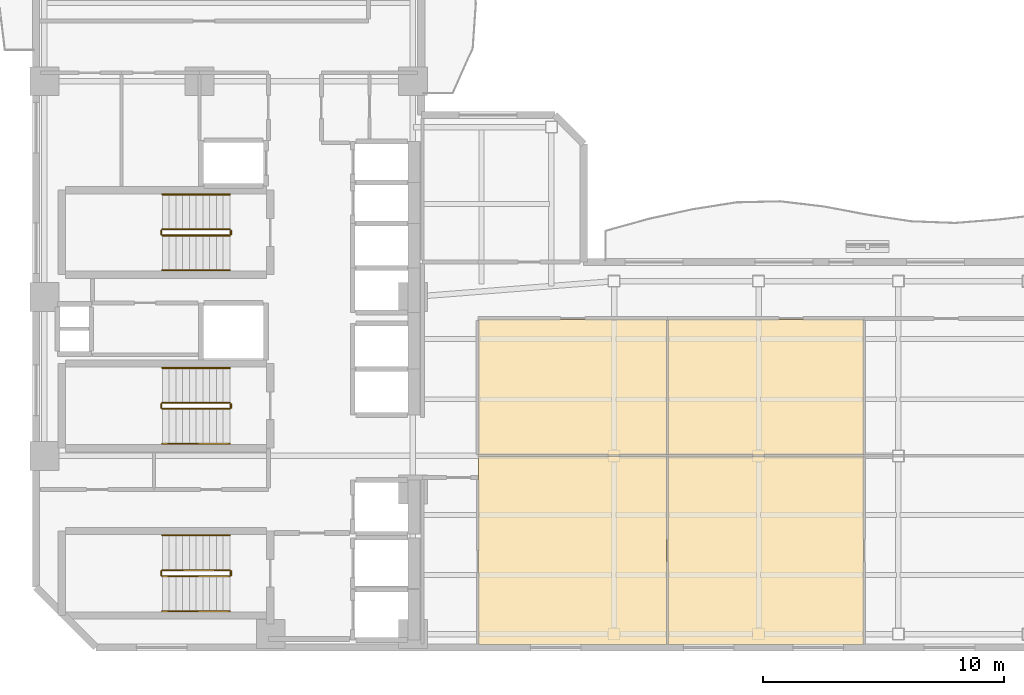
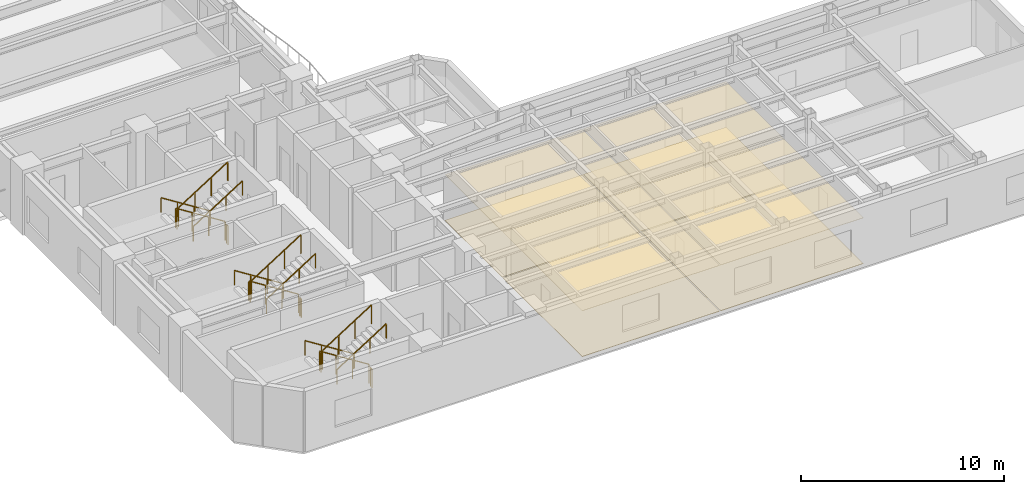
# One storey, part 7 of 9: 18 railings, 8 coverings.
"""IFC4 building model written with IfcOpenShell, lengths in metres."""

from ifc_helpers import new_model, si_unit, direction, frame, origin, origin_2d, place, context, subcontext, project, spatial, polyline, rectangle, outline, extrude, material, layer, layer_set, type_object, element, save


model = new_model("IFC4")

# Units and contexts
model_context = context("Model", 3, precision=1e-05, world=origin(), true_north=direction((0.0, 1.0)))
body_context = subcontext(model_context, "Body", "Model", "MODEL_VIEW")
ifc_project = project(units=[si_unit("LENGTHUNIT", "METRE"), si_unit("AREAUNIT", "SQUARE_METRE"), si_unit("VOLUMEUNIT", "CUBIC_METRE"), si_unit("PLANEANGLEUNIT", "RADIAN"), si_unit("MASSUNIT", "GRAM", prefix="KILO")], contexts=[model_context])

# Site, building, storey
site_placement = place(None, origin())
site = spatial("IfcSite", under=ifc_project, at=site_placement, CompositionType="ELEMENT")
building_placement = place(site_placement, origin())
building = spatial("IfcBuilding", under=site, at=building_placement, Name="Mawjaban Terraces University", CompositionType="ELEMENT")
storey_placement = place(building_placement, frame((0.0, 0.0, 161.89990234375)))
storey = spatial("IfcBuildingStorey", under=building, at=storey_placement, Name="L39", CompositionType="ELEMENT", Elevation=161.89990234375)

# Coverings
ifc_material_1 = material(Name="Acoustic mineral fibre ceiling tile", Category="masonry")
ifc_layer_1 = layer(ifc_material_1, 0.02001953125)
ifc_layer_set_1 = layer_set([ifc_layer_1], Name="Acoustic mineral fibre ceiling tile")
covering_type_1 = type_object("IfcCoveringType", Name="AcousticMineralCeiling_20", PredefinedType="CEILING", material=ifc_layer_set_1)
covering_1_placement = place(storey_placement, frame((0.0, 0.0, 2.75)))
element("IfcCovering", 1, at=covering_1_placement, inside=storey, type_object=covering_type_1, Name="L39 Conference Room 2 Acoustic Ceiling", PredefinedType="CEILING", context=body_context, shape_type="SweptSolid", body=[
    extrude(outline(polyline([(40.3798828125, 0.114990234375), (48.18505859375, 0.114990234375), (48.18505859375, 7.919921875), (40.3798828125, 7.919921875), (40.3798828125, 0.114990234375)])), origin(), (0.0, 0.0, 1.0), 0.02001953125),
])
covering_2_placement = place(storey_placement, frame((0.0, 0.0, 2.75)))
element("IfcCovering", 2, at=covering_2_placement, inside=storey, type_object=covering_type_1, Name="L39 Classroom 3 Acoustic Ceiling", PredefinedType="CEILING", context=body_context, shape_type="SweptSolid", body=[
    extrude(outline(polyline([(48.18505859375, 7.97998046875), (48.18505859375, 13.6201171875), (40.3798828125, 13.6201171875), (40.3798828125, 7.97998046875), (48.18505859375, 7.97998046875)])), origin(), (0.0, 0.0, 1.0), 0.02001953125),
])
covering_3_placement = place(storey_placement, frame((0.0, 0.0, 2.75)))
element("IfcCovering", 3, at=covering_3_placement, inside=storey, type_object=covering_type_1, Name="L39 Seminar Room 4 Acoustic Ceiling", PredefinedType="CEILING", context=body_context, shape_type="SweptSolid", body=[
    extrude(outline(polyline([(48.2451171875, 0.114990234375), (56.35205078125, 0.114990234375), (56.35205078125, 7.919921875), (48.2451171875, 7.919921875), (48.2451171875, 0.114990234375)])), origin(), (0.0, 0.0, 1.0), 0.02001953125),
])
covering_4_placement = place(storey_placement, frame((0.0, 0.0, 2.75)))
element("IfcCovering", 4, at=covering_4_placement, inside=storey, type_object=covering_type_1, Name="L39 Tutorial Room 5 Acoustic Ceiling", PredefinedType="CEILING", context=body_context, shape_type="SweptSolid", body=[
    extrude(outline(polyline([(56.35205078125, 7.97998046875), (56.35205078125, 13.6201171875), (48.2451171875, 13.6201171875), (48.2451171875, 7.97998046875), (56.35205078125, 7.97998046875)])), origin(), (0.0, 0.0, 1.0), 0.02001953125),
])

# Railings
ifc_material_2 = material(Name="Brushed stainless steel 316", Category="steel")
railing_type_1 = type_object("IfcRailingType", Name="StairWallHandrail_900", PredefinedType="HANDRAIL", material=ifc_material_2)
railing_1_placement = place(storey_placement, frame((30.050048828125, 4.64990234375, 0.177490234375)))
element("IfcRailing", 5, at=railing_1_placement, inside=storey, type_object=railing_type_1, Name="L39 ST-1 stair handrail 1", PredefinedType="HANDRAIL", context=body_context, shape_type="SweptSolid", body=[
    extrude(rectangle(XDim=0.048095703125, YDim=0.048095703125, at=origin_2d()), frame((0.0, 0.0, 0.8759765625), z_axis=(-0.844908973607, 0.0, 0.534910110503), x_axis=(0.0, -1.0, 0.0)), (0.0, 0.0, 1.0), 3.31396484375),
    extrude(rectangle(XDim=0.0419921875, YDim=0.0419921875, at=origin_2d()), origin(), (0.0, 0.0, 1.0), 0.851806640625),
    extrude(rectangle(XDim=0.0419921875, YDim=0.0419921875, at=origin_2d()), frame((-0.933349609375, 0.0, 0.5908203125)), (0.0, 0.0, 1.0), 0.851806640625),
    extrude(rectangle(XDim=0.0419921875, YDim=0.0419921875, at=origin_2d()), frame((-1.86669921875, 0.0, 1.181884765625)), (0.0, 0.0, 1.0), 0.851806640625),
    extrude(rectangle(XDim=0.0419921875, YDim=0.0419921875, at=origin_2d()), frame((-2.800048828125, 0.0, 1.772705078125)), (0.0, 0.0, 1.0), 0.851806640625),
])
railing_2_placement = place(storey_placement, frame((27.25, 1.5, 2.12744140625)))
element("IfcRailing", 6, at=railing_2_placement, inside=storey, type_object=railing_type_1, Name="L39 ST-1 stair handrail 2", PredefinedType="HANDRAIL", context=body_context, shape_type="SweptSolid", body=[
    extrude(rectangle(XDim=0.048095703125, YDim=0.048095703125, at=origin_2d()), frame((0.0, 0.0, 0.8759765625), z_axis=(0.844908973607, 0.0, 0.534910110503), x_axis=(0.0, 1.0, 0.0)), (0.0, 0.0, 1.0), 3.31396484375),
    extrude(rectangle(XDim=0.0419921875, YDim=0.0419921875, at=origin_2d()), origin(), (0.0, 0.0, 1.0), 0.851806640625),
    extrude(rectangle(XDim=0.0419921875, YDim=0.0419921875, at=origin_2d()), frame((0.933349609375, 0.0, 0.5908203125)), (0.0, 0.0, 1.0), 0.851806640625),
    extrude(rectangle(XDim=0.0419921875, YDim=0.0419921875, at=origin_2d()), frame((1.86669921875, 0.0, 1.181884765625)), (0.0, 0.0, 1.0), 0.851806640625),
    extrude(rectangle(XDim=0.0419921875, YDim=0.0419921875, at=origin_2d()), frame((2.800048828125, 0.0, 1.772705078125)), (0.0, 0.0, 1.0), 0.851806640625),
])
railing_3_placement = place(storey_placement, frame((30.050048828125, 18.800048828125, 0.177490234375)))
element("IfcRailing", 7, at=railing_3_placement, inside=storey, type_object=railing_type_1, Name="L39 ST-2 stair handrail 1", PredefinedType="HANDRAIL", context=body_context, shape_type="SweptSolid", body=[
    extrude(rectangle(XDim=0.048095703125, YDim=0.048095703125, at=origin_2d()), frame((0.0, 0.0, 0.8759765625), z_axis=(-0.844908973607, 0.0, 0.534910110503), x_axis=(0.0, -1.0, 0.0)), (0.0, 0.0, 1.0), 3.31396484375),
    extrude(rectangle(XDim=0.0419921875, YDim=0.0419921875, at=origin_2d()), origin(), (0.0, 0.0, 1.0), 0.851806640625),
    extrude(rectangle(XDim=0.0419921875, YDim=0.0419921875, at=origin_2d()), frame((-0.933349609375, 0.0, 0.5908203125)), (0.0, 0.0, 1.0), 0.851806640625),
    extrude(rectangle(XDim=0.0419921875, YDim=0.0419921875, at=origin_2d()), frame((-1.86669921875, 0.0, 1.181884765625)), (0.0, 0.0, 1.0), 0.851806640625),
    extrude(rectangle(XDim=0.0419921875, YDim=0.0419921875, at=origin_2d()), frame((-2.800048828125, 0.0, 1.772705078125)), (0.0, 0.0, 1.0), 0.851806640625),
])
railing_4_placement = place(storey_placement, frame((27.25, 15.64990234375, 2.12744140625)))
element("IfcRailing", 8, at=railing_4_placement, inside=storey, type_object=railing_type_1, Name="L39 ST-2 stair handrail 2", PredefinedType="HANDRAIL", context=body_context, shape_type="SweptSolid", body=[
    extrude(rectangle(XDim=0.048095703125, YDim=0.048095703125, at=origin_2d()), frame((0.0, 0.0, 0.8759765625), z_axis=(0.844908973607, 0.0, 0.534910110503), x_axis=(0.0, 1.0, 0.0)), (0.0, 0.0, 1.0), 3.31396484375),
    extrude(rectangle(XDim=0.0419921875, YDim=0.0419921875, at=origin_2d()), origin(), (0.0, 0.0, 1.0), 0.851806640625),
    extrude(rectangle(XDim=0.0419921875, YDim=0.0419921875, at=origin_2d()), frame((0.933349609375, 0.0, 0.5908203125)), (0.0, 0.0, 1.0), 0.851806640625),
    extrude(rectangle(XDim=0.0419921875, YDim=0.0419921875, at=origin_2d()), frame((1.86669921875, 0.0, 1.181884765625)), (0.0, 0.0, 1.0), 0.851806640625),
    extrude(rectangle(XDim=0.0419921875, YDim=0.0419921875, at=origin_2d()), frame((2.800048828125, 0.0, 1.772705078125)), (0.0, 0.0, 1.0), 0.851806640625),
])
railing_5_placement = place(storey_placement, frame((30.050048828125, 11.60009765625, 0.177490234375)))
element("IfcRailing", 9, at=railing_5_placement, inside=storey, type_object=railing_type_1, Name="L39 ST-3 stair handrail 1", PredefinedType="HANDRAIL", context=body_context, shape_type="SweptSolid", body=[
    extrude(rectangle(XDim=0.048095703125, YDim=0.048095703125, at=origin_2d()), frame((0.0, 0.0, 0.8759765625), z_axis=(-0.844908973607, 0.0, 0.534910110503), x_axis=(0.0, -1.0, 0.0)), (0.0, 0.0, 1.0), 3.31396484375),
    extrude(rectangle(XDim=0.0419921875, YDim=0.0419921875, at=origin_2d()), origin(), (0.0, 0.0, 1.0), 0.851806640625),
    extrude(rectangle(XDim=0.0419921875, YDim=0.0419921875, at=origin_2d()), frame((-0.933349609375, 0.0, 0.5908203125)), (0.0, 0.0, 1.0), 0.851806640625),
    extrude(rectangle(XDim=0.0419921875, YDim=0.0419921875, at=origin_2d()), frame((-1.86669921875, 0.0, 1.181884765625)), (0.0, 0.0, 1.0), 0.851806640625),
    extrude(rectangle(XDim=0.0419921875, YDim=0.0419921875, at=origin_2d()), frame((-2.800048828125, 0.0, 1.772705078125)), (0.0, 0.0, 1.0), 0.851806640625),
])
railing_6_placement = place(storey_placement, frame((27.25, 8.449951171875, 2.12744140625)))
element("IfcRailing", 10, at=railing_6_placement, inside=storey, type_object=railing_type_1, Name="L39 ST-3 stair handrail 2", PredefinedType="HANDRAIL", context=body_context, shape_type="SweptSolid", body=[
    extrude(rectangle(XDim=0.048095703125, YDim=0.048095703125, at=origin_2d()), frame((0.0, 0.0, 0.8759765625), z_axis=(0.844908973607, 0.0, 0.534910110503), x_axis=(0.0, 1.0, 0.0)), (0.0, 0.0, 1.0), 3.31396484375),
    extrude(rectangle(XDim=0.0419921875, YDim=0.0419921875, at=origin_2d()), origin(), (0.0, 0.0, 1.0), 0.851806640625),
    extrude(rectangle(XDim=0.0419921875, YDim=0.0419921875, at=origin_2d()), frame((0.933349609375, 0.0, 0.5908203125)), (0.0, 0.0, 1.0), 0.851806640625),
    extrude(rectangle(XDim=0.0419921875, YDim=0.0419921875, at=origin_2d()), frame((1.86669921875, 0.0, 1.181884765625)), (0.0, 0.0, 1.0), 0.851806640625),
    extrude(rectangle(XDim=0.0419921875, YDim=0.0419921875, at=origin_2d()), frame((2.800048828125, 0.0, 1.772705078125)), (0.0, 0.0, 1.0), 0.851806640625),
])
ifc_material_3 = material(Name="Galvanised painted steel S355", Category="steel")
railing_type_2 = type_object("IfcRailingType", Name="StairWellGuard_1150", PredefinedType="BALUSTRADE", material=ifc_material_3)
railing_7_placement = place(storey_placement, frame((30.050048828125, 3.199951171875, 0.177490234375)))
element("IfcRailing", 11, at=railing_7_placement, inside=storey, type_object=railing_type_2, Name="L39 ST-1 stair guard 1", PredefinedType="BALUSTRADE", context=body_context, shape_type="SweptSolid", body=[
    extrude(rectangle(XDim=0.048095703125, YDim=0.048095703125, at=origin_2d()), frame((0.0, 0.0, 1.1259765625), z_axis=(-0.844908973607, 0.0, 0.534910110503), x_axis=(0.0, -1.0, 0.0)), (0.0, 0.0, 1.0), 3.31396484375),
    extrude(rectangle(XDim=0.0419921875, YDim=0.0419921875, at=origin_2d()), origin(), (0.0, 0.0, 1.0), 1.101806640625),
    extrude(rectangle(XDim=0.0419921875, YDim=0.0419921875, at=origin_2d()), frame((-0.933349609375, 0.0, 0.5908203125)), (0.0, 0.0, 1.0), 1.101806640625),
    extrude(rectangle(XDim=0.0419921875, YDim=0.0419921875, at=origin_2d()), frame((-1.86669921875, 0.0, 1.181884765625)), (0.0, 0.0, 1.0), 1.101806640625),
    extrude(rectangle(XDim=0.0419921875, YDim=0.0419921875, at=origin_2d()), frame((-2.800048828125, 0.0, 1.772705078125)), (0.0, 0.0, 1.0), 1.101806640625),
])
railing_8_placement = place(storey_placement, frame((27.199951171875, 3.14990234375, 1.9501953125)))
element("IfcRailing", 12, at=railing_8_placement, inside=storey, type_object=railing_type_2, Name="L39 ST-1 stair guard 2", PredefinedType="BALUSTRADE", context=body_context, shape_type="SweptSolid", body=[
    extrude(rectangle(XDim=0.048095703125, YDim=0.048095703125, at=origin_2d()), frame((0.0, 0.0, 1.1259765625), z_axis=(0.0, -1.0, 0.0), x_axis=(1.0, 0.0, 0.0)), (0.0, 0.0, 1.0), 0.14990234375),
    extrude(rectangle(XDim=0.0419921875, YDim=0.0419921875, at=origin_2d()), origin(), (0.0, 0.0, 1.0), 1.101806640625),
    extrude(rectangle(XDim=0.0419921875, YDim=0.0419921875, at=origin_2d()), frame((0.0, -0.14990234375, 0.0)), (0.0, 0.0, 1.0), 1.101806640625),
])
railing_9_placement = place(storey_placement, frame((27.25, 2.949951171875, 2.12744140625)))
element("IfcRailing", 13, at=railing_9_placement, inside=storey, type_object=railing_type_2, Name="L39 ST-1 stair guard 3", PredefinedType="BALUSTRADE", context=body_context, shape_type="SweptSolid", body=[
    extrude(rectangle(XDim=0.048095703125, YDim=0.048095703125, at=origin_2d()), frame((0.0, 0.0, 1.1259765625), z_axis=(0.844908973607, 0.0, 0.534910110503), x_axis=(0.0, 1.0, 0.0)), (0.0, 0.0, 1.0), 3.31396484375),
    extrude(rectangle(XDim=0.0419921875, YDim=0.0419921875, at=origin_2d()), origin(), (0.0, 0.0, 1.0), 1.101806640625),
    extrude(rectangle(XDim=0.0419921875, YDim=0.0419921875, at=origin_2d()), frame((0.933349609375, 0.0, 0.5908203125)), (0.0, 0.0, 1.0), 1.101806640625),
    extrude(rectangle(XDim=0.0419921875, YDim=0.0419921875, at=origin_2d()), frame((1.86669921875, 0.0, 1.181884765625)), (0.0, 0.0, 1.0), 1.101806640625),
    extrude(rectangle(XDim=0.0419921875, YDim=0.0419921875, at=origin_2d()), frame((2.800048828125, 0.0, 1.772705078125)), (0.0, 0.0, 1.0), 1.101806640625),
])
railing_10_placement = place(storey_placement, frame((30.10009765625, 3.14990234375, 0.0)))
element("IfcRailing", 14, at=railing_10_placement, inside=storey, type_object=railing_type_2, Name="L39 ST-1 stair guard 4", PredefinedType="BALUSTRADE", context=body_context, shape_type="SweptSolid", body=[
    extrude(rectangle(XDim=0.048095703125, YDim=0.048095703125, at=origin_2d()), frame((0.0, 0.0, 1.1259765625), z_axis=(0.0, -1.0, 0.0), x_axis=(1.0, 0.0, 0.0)), (0.0, 0.0, 1.0), 0.14990234375),
    extrude(rectangle(XDim=0.0419921875, YDim=0.0419921875, at=origin_2d()), origin(), (0.0, 0.0, 1.0), 1.101806640625),
    extrude(rectangle(XDim=0.0419921875, YDim=0.0419921875, at=origin_2d()), frame((0.0, -0.14990234375, 0.0)), (0.0, 0.0, 1.0), 1.101806640625),
])
railing_11_placement = place(storey_placement, frame((30.050048828125, 17.35009765625, 0.177490234375)))
element("IfcRailing", 15, at=railing_11_placement, inside=storey, type_object=railing_type_2, Name="L39 ST-2 stair guard 1", PredefinedType="BALUSTRADE", context=body_context, shape_type="SweptSolid", body=[
    extrude(rectangle(XDim=0.048095703125, YDim=0.048095703125, at=origin_2d()), frame((0.0, 0.0, 1.1259765625), z_axis=(-0.844908973607, 0.0, 0.534910110503), x_axis=(0.0, -1.0, 0.0)), (0.0, 0.0, 1.0), 3.31396484375),
    extrude(rectangle(XDim=0.0419921875, YDim=0.0419921875, at=origin_2d()), origin(), (0.0, 0.0, 1.0), 1.101806640625),
    extrude(rectangle(XDim=0.0419921875, YDim=0.0419921875, at=origin_2d()), frame((-0.933349609375, 0.0, 0.5908203125)), (0.0, 0.0, 1.0), 1.101806640625),
    extrude(rectangle(XDim=0.0419921875, YDim=0.0419921875, at=origin_2d()), frame((-1.86669921875, 0.0, 1.181884765625)), (0.0, 0.0, 1.0), 1.101806640625),
    extrude(rectangle(XDim=0.0419921875, YDim=0.0419921875, at=origin_2d()), frame((-2.800048828125, 0.0, 1.772705078125)), (0.0, 0.0, 1.0), 1.101806640625),
])
railing_12_placement = place(storey_placement, frame((27.199951171875, 17.300048828125, 1.9501953125)))
element("IfcRailing", 16, at=railing_12_placement, inside=storey, type_object=railing_type_2, Name="L39 ST-2 stair guard 2", PredefinedType="BALUSTRADE", context=body_context, shape_type="SweptSolid", body=[
    extrude(rectangle(XDim=0.048095703125, YDim=0.048095703125, at=origin_2d()), frame((0.0, 0.0, 1.1259765625), z_axis=(0.0, -1.0, 0.0), x_axis=(1.0, 0.0, 0.0)), (0.0, 0.0, 1.0), 0.150146484375),
    extrude(rectangle(XDim=0.0419921875, YDim=0.0419921875, at=origin_2d()), origin(), (0.0, 0.0, 1.0), 1.101806640625),
    extrude(rectangle(XDim=0.0419921875, YDim=0.0419921875, at=origin_2d()), frame((0.0, -0.150146484375, 0.0)), (0.0, 0.0, 1.0), 1.101806640625),
])
railing_13_placement = place(storey_placement, frame((27.25, 17.10009765625, 2.12744140625)))
element("IfcRailing", 17, at=railing_13_placement, inside=storey, type_object=railing_type_2, Name="L39 ST-2 stair guard 3", PredefinedType="BALUSTRADE", context=body_context, shape_type="SweptSolid", body=[
    extrude(rectangle(XDim=0.048095703125, YDim=0.048095703125, at=origin_2d()), frame((0.0, 0.0, 1.1259765625), z_axis=(0.844908973607, 0.0, 0.534910110503), x_axis=(0.0, 1.0, 0.0)), (0.0, 0.0, 1.0), 3.31396484375),
    extrude(rectangle(XDim=0.0419921875, YDim=0.0419921875, at=origin_2d()), origin(), (0.0, 0.0, 1.0), 1.101806640625),
    extrude(rectangle(XDim=0.0419921875, YDim=0.0419921875, at=origin_2d()), frame((0.933349609375, 0.0, 0.5908203125)), (0.0, 0.0, 1.0), 1.101806640625),
    extrude(rectangle(XDim=0.0419921875, YDim=0.0419921875, at=origin_2d()), frame((1.86669921875, 0.0, 1.181884765625)), (0.0, 0.0, 1.0), 1.101806640625),
    extrude(rectangle(XDim=0.0419921875, YDim=0.0419921875, at=origin_2d()), frame((2.800048828125, 0.0, 1.772705078125)), (0.0, 0.0, 1.0), 1.101806640625),
])
railing_14_placement = place(storey_placement, frame((30.10009765625, 17.300048828125, 0.0)))
element("IfcRailing", 18, at=railing_14_placement, inside=storey, type_object=railing_type_2, Name="L39 ST-2 stair guard 4", PredefinedType="BALUSTRADE", context=body_context, shape_type="SweptSolid", body=[
    extrude(rectangle(XDim=0.048095703125, YDim=0.048095703125, at=origin_2d()), frame((0.0, 0.0, 1.1259765625), z_axis=(0.0, -1.0, 0.0), x_axis=(1.0, 0.0, 0.0)), (0.0, 0.0, 1.0), 0.150146484375),
    extrude(rectangle(XDim=0.0419921875, YDim=0.0419921875, at=origin_2d()), origin(), (0.0, 0.0, 1.0), 1.101806640625),
    extrude(rectangle(XDim=0.0419921875, YDim=0.0419921875, at=origin_2d()), frame((0.0, -0.150146484375, 0.0)), (0.0, 0.0, 1.0), 1.101806640625),
])
railing_15_placement = place(storey_placement, frame((30.050048828125, 10.14990234375, 0.177490234375)))
element("IfcRailing", 19, at=railing_15_placement, inside=storey, type_object=railing_type_2, Name="L39 ST-3 stair guard 1", PredefinedType="BALUSTRADE", context=body_context, shape_type="SweptSolid", body=[
    extrude(rectangle(XDim=0.048095703125, YDim=0.048095703125, at=origin_2d()), frame((0.0, 0.0, 1.1259765625), z_axis=(-0.844908973607, 0.0, 0.534910110503), x_axis=(0.0, -1.0, 0.0)), (0.0, 0.0, 1.0), 3.31396484375),
    extrude(rectangle(XDim=0.0419921875, YDim=0.0419921875, at=origin_2d()), origin(), (0.0, 0.0, 1.0), 1.101806640625),
    extrude(rectangle(XDim=0.0419921875, YDim=0.0419921875, at=origin_2d()), frame((-0.933349609375, 0.0, 0.5908203125)), (0.0, 0.0, 1.0), 1.101806640625),
    extrude(rectangle(XDim=0.0419921875, YDim=0.0419921875, at=origin_2d()), frame((-1.86669921875, 0.0, 1.181884765625)), (0.0, 0.0, 1.0), 1.101806640625),
    extrude(rectangle(XDim=0.0419921875, YDim=0.0419921875, at=origin_2d()), frame((-2.800048828125, 0.0, 1.772705078125)), (0.0, 0.0, 1.0), 1.101806640625),
])
railing_16_placement = place(storey_placement, frame((27.199951171875, 10.10009765625, 1.9501953125)))
element("IfcRailing", 20, at=railing_16_placement, inside=storey, type_object=railing_type_2, Name="L39 ST-3 stair guard 2", PredefinedType="BALUSTRADE", context=body_context, shape_type="SweptSolid", body=[
    extrude(rectangle(XDim=0.048095703125, YDim=0.048095703125, at=origin_2d()), frame((0.0, 0.0, 1.1259765625), z_axis=(0.0, -1.0, 0.0), x_axis=(1.0, 0.0, 0.0)), (0.0, 0.0, 1.0), 0.150146484375),
    extrude(rectangle(XDim=0.0419921875, YDim=0.0419921875, at=origin_2d()), origin(), (0.0, 0.0, 1.0), 1.101806640625),
    extrude(rectangle(XDim=0.0419921875, YDim=0.0419921875, at=origin_2d()), frame((0.0, -0.150146484375, 0.0)), (0.0, 0.0, 1.0), 1.101806640625),
])
railing_17_placement = place(storey_placement, frame((27.25, 9.89990234375, 2.12744140625)))
element("IfcRailing", 21, at=railing_17_placement, inside=storey, type_object=railing_type_2, Name="L39 ST-3 stair guard 3", PredefinedType="BALUSTRADE", context=body_context, shape_type="SweptSolid", body=[
    extrude(rectangle(XDim=0.048095703125, YDim=0.048095703125, at=origin_2d()), frame((0.0, 0.0, 1.1259765625), z_axis=(0.844908973607, 0.0, 0.534910110503), x_axis=(0.0, 1.0, 0.0)), (0.0, 0.0, 1.0), 3.31396484375),
    extrude(rectangle(XDim=0.0419921875, YDim=0.0419921875, at=origin_2d()), origin(), (0.0, 0.0, 1.0), 1.101806640625),
    extrude(rectangle(XDim=0.0419921875, YDim=0.0419921875, at=origin_2d()), frame((0.933349609375, 0.0, 0.5908203125)), (0.0, 0.0, 1.0), 1.101806640625),
    extrude(rectangle(XDim=0.0419921875, YDim=0.0419921875, at=origin_2d()), frame((1.86669921875, 0.0, 1.181884765625)), (0.0, 0.0, 1.0), 1.101806640625),
    extrude(rectangle(XDim=0.0419921875, YDim=0.0419921875, at=origin_2d()), frame((2.800048828125, 0.0, 1.772705078125)), (0.0, 0.0, 1.0), 1.101806640625),
])
railing_18_placement = place(storey_placement, frame((30.10009765625, 10.10009765625, 0.0)))
element("IfcRailing", 22, at=railing_18_placement, inside=storey, type_object=railing_type_2, Name="L39 ST-3 stair guard 4", PredefinedType="BALUSTRADE", context=body_context, shape_type="SweptSolid", body=[
    extrude(rectangle(XDim=0.048095703125, YDim=0.048095703125, at=origin_2d()), frame((0.0, 0.0, 1.1259765625), z_axis=(0.0, -1.0, 0.0), x_axis=(1.0, 0.0, 0.0)), (0.0, 0.0, 1.0), 0.150146484375),
    extrude(rectangle(XDim=0.0419921875, YDim=0.0419921875, at=origin_2d()), origin(), (0.0, 0.0, 1.0), 1.101806640625),
    extrude(rectangle(XDim=0.0419921875, YDim=0.0419921875, at=origin_2d()), frame((0.0, -0.150146484375, 0.0)), (0.0, 0.0, 1.0), 1.101806640625),
])

# Coverings
ifc_material_4 = material(Name="Polished Hijazi granite terrazzo flooring", Category="masonry")
ifc_layer_2 = layer(ifc_material_4, 0.02490234375)
ifc_layer_set_2 = layer_set([ifc_layer_2], Name="Polished Hijazi granite terrazzo flooring")
covering_type_2 = type_object("IfcCoveringType", Name="TerrazzoConcourseFlooring_25", PredefinedType="FLOORING", material=ifc_layer_set_2)
covering_5_placement = place(storey_placement, origin())
element("IfcCovering", 23, at=covering_5_placement, inside=storey, type_object=covering_type_2, Name="L39 Conference Room 2 Terrazzo Flooring", PredefinedType="FLOORING", context=body_context, shape_type="SweptSolid", body=[
    extrude(outline(polyline([(40.3798828125, 0.114990234375), (48.18505859375, 0.114990234375), (48.18505859375, 7.919921875), (40.3798828125, 7.919921875), (40.3798828125, 0.114990234375)])), origin(), (0.0, 0.0, 1.0), 0.025146484375),
])
covering_6_placement = place(storey_placement, origin())
element("IfcCovering", 24, at=covering_6_placement, inside=storey, type_object=covering_type_2, Name="L39 Classroom 3 Terrazzo Flooring", PredefinedType="FLOORING", context=body_context, shape_type="SweptSolid", body=[
    extrude(outline(polyline([(48.18505859375, 7.97998046875), (48.18505859375, 13.6201171875), (40.3798828125, 13.6201171875), (40.3798828125, 7.97998046875), (48.18505859375, 7.97998046875)])), origin(), (0.0, 0.0, 1.0), 0.025146484375),
])
covering_7_placement = place(storey_placement, origin())
element("IfcCovering", 25, at=covering_7_placement, inside=storey, type_object=covering_type_2, Name="L39 Seminar Room 4 Terrazzo Flooring", PredefinedType="FLOORING", context=body_context, shape_type="SweptSolid", body=[
    extrude(outline(polyline([(48.2451171875, 0.114990234375), (56.35205078125, 0.114990234375), (56.35205078125, 7.919921875), (48.2451171875, 7.919921875), (48.2451171875, 0.114990234375)])), origin(), (0.0, 0.0, 1.0), 0.025146484375),
])
covering_8_placement = place(storey_placement, origin())
element("IfcCovering", 26, at=covering_8_placement, inside=storey, type_object=covering_type_2, Name="L39 Tutorial Room 5 Terrazzo Flooring", PredefinedType="FLOORING", context=body_context, shape_type="SweptSolid", body=[
    extrude(outline(polyline([(56.35205078125, 7.97998046875), (56.35205078125, 13.6201171875), (48.2451171875, 13.6201171875), (48.2451171875, 7.97998046875), (56.35205078125, 7.97998046875)])), origin(), (0.0, 0.0, 1.0), 0.025146484375),
])

save(model, "model.ifc")
